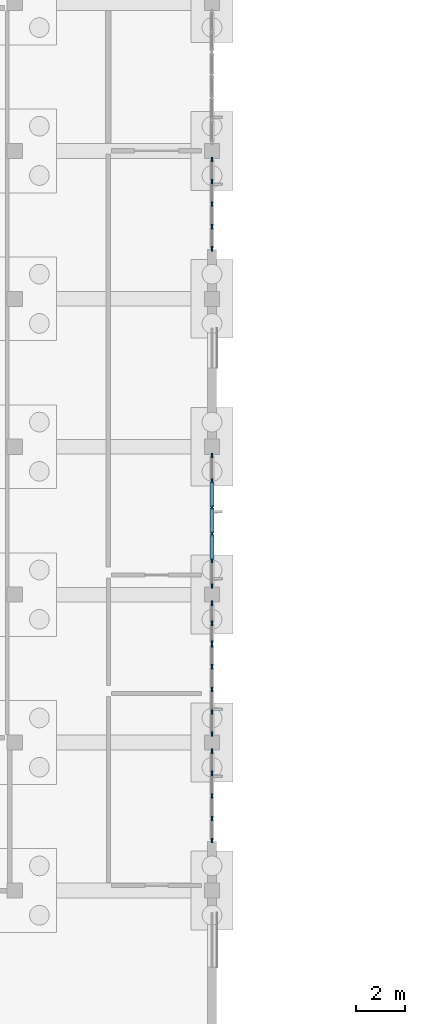
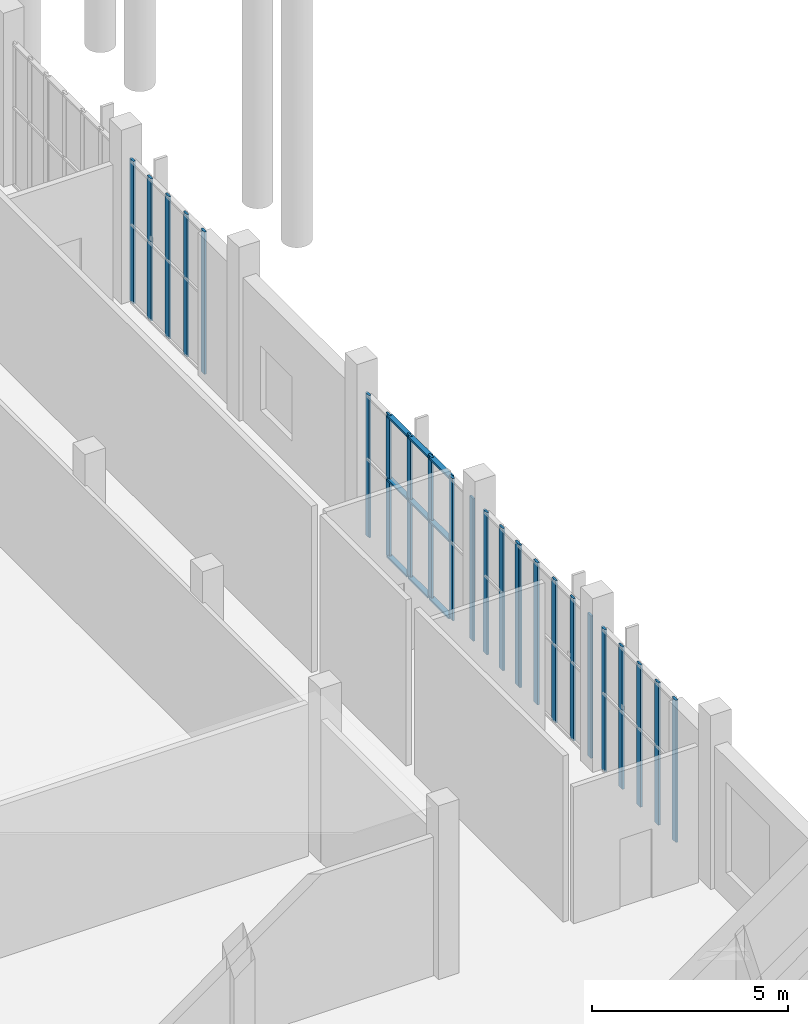
# One storey, part 11 of 69: 33 members, 5 elements without a shape of their own.
"""IFC4 building model written with IfcOpenShell, lengths in metres."""

from ifc_helpers import new_model, si_unit, direction, frame, origin, origin_2d, place, context, subcontext, project, spatial, rectangle, extrude, material, layer, layer_set, material_profile, profile_set, type_object, element, aggregate, save


model = new_model("IFC4")

# Units and contexts
model_context = context("Model", 3, precision=1e-05, world=origin(), true_north=direction((0.0, 1.0)))
body_context = subcontext(model_context, "Body", "Model", "MODEL_VIEW")
ifc_project = project(units=[si_unit("LENGTHUNIT", "METRE"), si_unit("AREAUNIT", "SQUARE_METRE"), si_unit("VOLUMEUNIT", "CUBIC_METRE"), si_unit("PLANEANGLEUNIT", "RADIAN"), si_unit("MASSUNIT", "GRAM", prefix="KILO")], contexts=[model_context])

# Site, building, storey
site_placement = place(None, origin())
site = spatial("IfcSite", under=ifc_project, at=site_placement, CompositionType="ELEMENT")
building_placement = place(site_placement, origin())
building = spatial("IfcBuilding", under=site, at=building_placement, Name="Solvane Community Centre", CompositionType="ELEMENT")
storey_placement = place(building_placement, origin())
storey = spatial("IfcBuildingStorey", under=building, at=storey_placement, Name="L00", CompositionType="ELEMENT", Elevation=0.0)

# Curtain wall, members
ifc_material = material(Name="Anodised bronze aluminium AW-6063 T6", Category="aluminium")
ifc_layer_1 = layer(ifc_material, 0.18994140625)
ifc_layer_set_1 = layer_set([ifc_layer_1], Name="Anodised bronze aluminium AW-6063 T6")
curtain_wall_type_1 = type_object("IfcCurtainWallType", Name="Boulevard Bronze Vision Curtain Wall [37x44dm]", PredefinedType="NOTDEFINED", material=ifc_layer_set_1)
curtain_wall_1_placement = place(storey_placement, origin())
curtain_wall_1 = element("IfcCurtainWall", 1, at=curtain_wall_1_placement, inside=storey, type_object=curtain_wall_type_1, Name="Curtain Wall CW-L00-680_657-018", PredefinedType="NOTDEFINED")
ifc_material_profile_1 = material_profile(ifc_material, rectangle(XDim=0.06005859375, YDim=0.18994140625, at=origin_2d()), Name="CW-M 60x190")
ifc_profile_set_1 = profile_set([ifc_material_profile_1], Name="Anodised bronze aluminium AW-6063 T6")
member_type_1 = type_object("IfcMemberType", Name="Boulevard Mullion 60x190", PredefinedType="MULLION", material=ifc_profile_set_1)
member_1_placement = place(storey_placement, frame((68.0, 65.64990234375, 0.0), z_axis=(0.0, 0.0, 1.0), x_axis=(1.0, 0.0, 0.0)))
member_1 = element("IfcMember", 2, at=member_1_placement, type_object=member_type_1, Name="CW02-37x44 mullion 1", PredefinedType="MULLION", context=body_context, shape_type="SweptSolid", body=[
    extrude(rectangle(XDim=0.06005859375, YDim=0.18994140625, at=origin_2d()), origin(), (0.0, 0.0, 1.0), 4.425048828125),
])
member_2_placement = place(storey_placement, frame((68.0, 64.760009765625, 0.0), z_axis=(0.0, 0.0, 1.0), x_axis=(1.0, 0.0, 0.0)))
member_2 = element("IfcMember", 3, at=member_2_placement, type_object=member_type_1, Name="CW02-37x44 mullion 2", PredefinedType="MULLION", context=body_context, shape_type="SweptSolid", body=[
    extrude(rectangle(XDim=0.06005859375, YDim=0.18994140625, at=origin_2d()), origin(), (0.0, 0.0, 1.0), 4.425048828125),
])
member_3_placement = place(storey_placement, frame((68.0, 63.840087890625, 0.0), z_axis=(0.0, 0.0, 1.0), x_axis=(1.0, 0.0, 0.0)))
member_3 = element("IfcMember", 4, at=member_3_placement, type_object=member_type_1, Name="CW02-37x44 mullion 3", PredefinedType="MULLION", context=body_context, shape_type="SweptSolid", body=[
    extrude(rectangle(XDim=0.06005859375, YDim=0.18994140625, at=origin_2d()), origin(), (0.0, 0.0, 1.0), 4.425048828125),
])
member_4_placement = place(storey_placement, frame((68.0, 62.919921875, 0.0), z_axis=(0.0, 0.0, 1.0), x_axis=(1.0, 0.0, 0.0)))
member_4 = element("IfcMember", 5, at=member_4_placement, type_object=member_type_1, Name="CW02-37x44 mullion 4", PredefinedType="MULLION", context=body_context, shape_type="SweptSolid", body=[
    extrude(rectangle(XDim=0.06005859375, YDim=0.18994140625, at=origin_2d()), origin(), (0.0, 0.0, 1.0), 4.425048828125),
])
member_5_placement = place(storey_placement, frame((68.0, 62.030029296875, 0.0), z_axis=(0.0, 0.0, 1.0), x_axis=(1.0, 0.0, 0.0)))
member_5 = element("IfcMember", 6, at=member_5_placement, type_object=member_type_1, Name="CW02-37x44 mullion 5", PredefinedType="MULLION", context=body_context, shape_type="SweptSolid", body=[
    extrude(rectangle(XDim=0.06005859375, YDim=0.18994140625, at=origin_2d()), origin(), (0.0, 0.0, 1.0), 4.425048828125),
])
aggregate(curtain_wall_1, [member_1, member_2, member_3, member_4, member_5])

ifc_layer_2 = layer(ifc_material, 0.18994140625)
ifc_layer_set_2 = layer_set([ifc_layer_2], Name="Anodised bronze aluminium AW-6063 T6")
curtain_wall_type_2 = type_object("IfcCurtainWallType", Name="Boulevard Bronze Vision Curtain Wall [54x44dm]", PredefinedType="NOTDEFINED", material=ifc_layer_set_2)
curtain_wall_2_placement = place(storey_placement, origin())
curtain_wall_2 = element("IfcCurtainWall", 7, at=curtain_wall_2_placement, inside=storey, type_object=curtain_wall_type_2, Name="Curtain Wall CW-L00-680_537-019", PredefinedType="NOTDEFINED")
member_6_placement = place(storey_placement, frame((68.0, 53.64990234375, 0.0), z_axis=(0.0, 0.0, 1.0), x_axis=(1.0, 0.0, 0.0)))
member_6 = element("IfcMember", 8, at=member_6_placement, type_object=member_type_1, Name="CW02-54x44 mullion 1", PredefinedType="MULLION", context=body_context, shape_type="SweptSolid", body=[
    extrude(rectangle(XDim=0.06005859375, YDim=0.18994140625, at=origin_2d()), origin(), (0.0, 0.0, 1.0), 4.425048828125),
])
member_7_placement = place(storey_placement, frame((68.0, 52.60791015625, 0.0), z_axis=(0.0, 0.0, 1.0), x_axis=(1.0, 0.0, 0.0)))
member_7 = element("IfcMember", 9, at=member_7_placement, type_object=member_type_1, Name="CW02-54x44 mullion 2", PredefinedType="MULLION", context=body_context, shape_type="SweptSolid", body=[
    extrude(rectangle(XDim=0.06005859375, YDim=0.18994140625, at=origin_2d()), origin(), (0.0, 0.0, 1.0), 4.425048828125),
])
member_8_placement = place(storey_placement, frame((68.0, 51.535888671875, 0.0), z_axis=(0.0, 0.0, 1.0), x_axis=(1.0, 0.0, 0.0)))
member_8 = element("IfcMember", 10, at=member_8_placement, type_object=member_type_1, Name="CW02-54x44 mullion 3", PredefinedType="MULLION", context=body_context, shape_type="SweptSolid", body=[
    extrude(rectangle(XDim=0.06005859375, YDim=0.18994140625, at=origin_2d()), origin(), (0.0, 0.0, 1.0), 4.425048828125),
])
member_9_placement = place(storey_placement, frame((68.0, 50.464111328125, 0.0), z_axis=(0.0, 0.0, 1.0), x_axis=(1.0, 0.0, 0.0)))
member_9 = element("IfcMember", 11, at=member_9_placement, type_object=member_type_1, Name="CW02-54x44 mullion 4", PredefinedType="MULLION", context=body_context, shape_type="SweptSolid", body=[
    extrude(rectangle(XDim=0.06005859375, YDim=0.18994140625, at=origin_2d()), origin(), (0.0, 0.0, 1.0), 4.425048828125),
])
member_10_placement = place(storey_placement, frame((68.0, 49.39208984375, 0.0), z_axis=(0.0, 0.0, 1.0), x_axis=(1.0, 0.0, 0.0)))
member_10 = element("IfcMember", 12, at=member_10_placement, type_object=member_type_1, Name="CW02-54x44 mullion 5", PredefinedType="MULLION", context=body_context, shape_type="SweptSolid", body=[
    extrude(rectangle(XDim=0.06005859375, YDim=0.18994140625, at=origin_2d()), origin(), (0.0, 0.0, 1.0), 4.425048828125),
])
member_11_placement = place(storey_placement, frame((68.0, 48.35009765625, 0.0), z_axis=(0.0, 0.0, 1.0), x_axis=(1.0, 0.0, 0.0)))
member_11 = element("IfcMember", 13, at=member_11_placement, type_object=member_type_1, Name="CW02-54x44 mullion 6", PredefinedType="MULLION", context=body_context, shape_type="SweptSolid", body=[
    extrude(rectangle(XDim=0.06005859375, YDim=0.18994140625, at=origin_2d()), origin(), (0.0, 0.0, 1.0), 4.425048828125),
])

ifc_layer_3 = layer(ifc_material, 0.18994140625)
ifc_layer_set_3 = layer_set([ifc_layer_3], Name="Anodised bronze aluminium AW-6063 T6")
curtain_wall_type_3 = type_object("IfcCurtainWallType", Name="Boulevard Bronze Vision Curtain Wall [17x44dm]", PredefinedType="NOTDEFINED", material=ifc_layer_set_3)
curtain_wall_3_placement = place(storey_placement, origin())
curtain_wall_3 = element("IfcCurtainWall", 14, at=curtain_wall_3_placement, inside=storey, type_object=curtain_wall_type_3, Name="Curtain Wall CW-L00-680_477-020", PredefinedType="NOTDEFINED")
member_12_placement = place(storey_placement, frame((68.0, 47.64990234375, 0.0), z_axis=(0.0, 0.0, 1.0), x_axis=(1.0, 0.0, 0.0)))
member_12 = element("IfcMember", 15, at=member_12_placement, type_object=member_type_1, Name="CW02-17x44 mullion 1", PredefinedType="MULLION", context=body_context, shape_type="SweptSolid", body=[
    extrude(rectangle(XDim=0.06005859375, YDim=0.18994140625, at=origin_2d()), origin(), (0.0, 0.0, 1.0), 4.425048828125),
])
member_13_placement = place(storey_placement, frame((68.0, 46.840087890625, 0.0), z_axis=(0.0, 0.0, 1.0), x_axis=(1.0, 0.0, 0.0)))
member_13 = element("IfcMember", 16, at=member_13_placement, type_object=member_type_1, Name="CW02-17x44 mullion 2", PredefinedType="MULLION", context=body_context, shape_type="SweptSolid", body=[
    extrude(rectangle(XDim=0.06005859375, YDim=0.18994140625, at=origin_2d()), origin(), (0.0, 0.0, 1.0), 4.425048828125),
])
member_14_placement = place(storey_placement, frame((68.0, 46.030029296875, 0.0), z_axis=(0.0, 0.0, 1.0), x_axis=(1.0, 0.0, 0.0)))
member_14 = element("IfcMember", 17, at=member_14_placement, type_object=member_type_1, Name="CW02-17x44 mullion 3", PredefinedType="MULLION", context=body_context, shape_type="SweptSolid", body=[
    extrude(rectangle(XDim=0.06005859375, YDim=0.18994140625, at=origin_2d()), origin(), (0.0, 0.0, 1.0), 4.425048828125),
])
aggregate(curtain_wall_3, [member_12, member_13, member_14])

curtain_wall_4_placement = place(storey_placement, origin())
curtain_wall_4 = element("IfcCurtainWall", 18, at=curtain_wall_4_placement, inside=storey, type_object=curtain_wall_type_1, Name="Curtain Wall CW-L00-680_460-021", PredefinedType="NOTDEFINED")
member_15_placement = place(storey_placement, frame((68.0, 45.969970703125, 0.0), z_axis=(0.0, 0.0, 1.0), x_axis=(1.0, 0.0, 0.0)))
member_15 = element("IfcMember", 19, at=member_15_placement, type_object=member_type_1, Name="CW02-37x44 mullion 1", PredefinedType="MULLION", context=body_context, shape_type="SweptSolid", body=[
    extrude(rectangle(XDim=0.06005859375, YDim=0.18994140625, at=origin_2d()), origin(), (0.0, 0.0, 1.0), 4.425048828125),
])
member_16_placement = place(storey_placement, frame((68.0, 45.080078125, 0.0), z_axis=(0.0, 0.0, 1.0), x_axis=(1.0, 0.0, 0.0)))
member_16 = element("IfcMember", 20, at=member_16_placement, type_object=member_type_1, Name="CW02-37x44 mullion 2", PredefinedType="MULLION", context=body_context, shape_type="SweptSolid", body=[
    extrude(rectangle(XDim=0.06005859375, YDim=0.18994140625, at=origin_2d()), origin(), (0.0, 0.0, 1.0), 4.425048828125),
])
member_17_placement = place(storey_placement, frame((68.0, 44.159912109375, 0.0), z_axis=(0.0, 0.0, 1.0), x_axis=(1.0, 0.0, 0.0)))
member_17 = element("IfcMember", 21, at=member_17_placement, type_object=member_type_1, Name="CW02-37x44 mullion 3", PredefinedType="MULLION", context=body_context, shape_type="SweptSolid", body=[
    extrude(rectangle(XDim=0.06005859375, YDim=0.18994140625, at=origin_2d()), origin(), (0.0, 0.0, 1.0), 4.425048828125),
])
member_18_placement = place(storey_placement, frame((68.0, 43.239990234375, 0.0), z_axis=(0.0, 0.0, 1.0), x_axis=(1.0, 0.0, 0.0)))
member_18 = element("IfcMember", 22, at=member_18_placement, type_object=member_type_1, Name="CW02-37x44 mullion 4", PredefinedType="MULLION", context=body_context, shape_type="SweptSolid", body=[
    extrude(rectangle(XDim=0.06005859375, YDim=0.18994140625, at=origin_2d()), origin(), (0.0, 0.0, 1.0), 4.425048828125),
])
member_19_placement = place(storey_placement, frame((68.0, 42.35009765625, 0.0), z_axis=(0.0, 0.0, 1.0), x_axis=(1.0, 0.0, 0.0)))
member_19 = element("IfcMember", 23, at=member_19_placement, type_object=member_type_1, Name="CW02-37x44 mullion 5", PredefinedType="MULLION", context=body_context, shape_type="SweptSolid", body=[
    extrude(rectangle(XDim=0.06005859375, YDim=0.18994140625, at=origin_2d()), origin(), (0.0, 0.0, 1.0), 4.425048828125),
])
aggregate(curtain_wall_4, [member_15, member_16, member_17, member_18, member_19])

curtain_wall_5_placement = place(storey_placement, origin())
curtain_wall_5 = element("IfcCurtainWall", 24, at=curtain_wall_5_placement, inside=storey, type_object=curtain_wall_type_1, Name="Curtain Wall CW-L00-680_417-022", PredefinedType="NOTDEFINED")
member_20_placement = place(storey_placement, frame((68.0, 41.64990234375, 0.0), z_axis=(0.0, 0.0, 1.0), x_axis=(1.0, 0.0, 0.0)))
member_20 = element("IfcMember", 25, at=member_20_placement, type_object=member_type_1, Name="CW02-37x44 mullion 1", PredefinedType="MULLION", context=body_context, shape_type="SweptSolid", body=[
    extrude(rectangle(XDim=0.06005859375, YDim=0.18994140625, at=origin_2d()), origin(), (0.0, 0.0, 1.0), 4.425048828125),
])
member_21_placement = place(storey_placement, frame((68.0, 40.760009765625, 0.0), z_axis=(0.0, 0.0, 1.0), x_axis=(1.0, 0.0, 0.0)))
member_21 = element("IfcMember", 26, at=member_21_placement, type_object=member_type_1, Name="CW02-37x44 mullion 2", PredefinedType="MULLION", context=body_context, shape_type="SweptSolid", body=[
    extrude(rectangle(XDim=0.06005859375, YDim=0.18994140625, at=origin_2d()), origin(), (0.0, 0.0, 1.0), 4.425048828125),
])
member_22_placement = place(storey_placement, frame((68.0, 39.840087890625, 0.0), z_axis=(0.0, 0.0, 1.0), x_axis=(1.0, 0.0, 0.0)))
member_22 = element("IfcMember", 27, at=member_22_placement, type_object=member_type_1, Name="CW02-37x44 mullion 3", PredefinedType="MULLION", context=body_context, shape_type="SweptSolid", body=[
    extrude(rectangle(XDim=0.06005859375, YDim=0.18994140625, at=origin_2d()), origin(), (0.0, 0.0, 1.0), 4.425048828125),
])
member_23_placement = place(storey_placement, frame((68.0, 38.919921875, 0.0), z_axis=(0.0, 0.0, 1.0), x_axis=(1.0, 0.0, 0.0)))
member_23 = element("IfcMember", 28, at=member_23_placement, type_object=member_type_1, Name="CW02-37x44 mullion 4", PredefinedType="MULLION", context=body_context, shape_type="SweptSolid", body=[
    extrude(rectangle(XDim=0.06005859375, YDim=0.18994140625, at=origin_2d()), origin(), (0.0, 0.0, 1.0), 4.425048828125),
])
member_24_placement = place(storey_placement, frame((68.0, 38.030029296875, 0.0), z_axis=(0.0, 0.0, 1.0), x_axis=(1.0, 0.0, 0.0)))
member_24 = element("IfcMember", 29, at=member_24_placement, type_object=member_type_1, Name="CW02-37x44 mullion 5", PredefinedType="MULLION", context=body_context, shape_type="SweptSolid", body=[
    extrude(rectangle(XDim=0.06005859375, YDim=0.18994140625, at=origin_2d()), origin(), (0.0, 0.0, 1.0), 4.425048828125),
])
aggregate(curtain_wall_5, [member_20, member_21, member_22, member_23, member_24])

# Member
ifc_material_profile_2 = material_profile(ifc_material, rectangle(XDim=0.14990234375, YDim=0.06005859375, at=origin_2d()), Name="CW-T 60x150")
ifc_profile_set_2 = profile_set([ifc_material_profile_2], Name="Anodised bronze aluminium AW-6063 T6")
member_type_2 = type_object("IfcMemberType", Name="Boulevard Transom 60x150", PredefinedType="USERDEFINED", material=ifc_profile_set_2)
member_25_placement = place(storey_placement, frame((68.0, 52.577880859375, 0.030029296875), z_axis=(0.0, -1.0, 0.0), x_axis=(1.0, 0.0, 0.0)))
member_25 = element("IfcMember", 30, at=member_25_placement, type_object=member_type_2, Name="CW02-54x44 transom 2.1", ObjectType="TRANSOM", PredefinedType="USERDEFINED", context=body_context, shape_type="SweptSolid", body=[
    extrude(rectangle(XDim=0.14990234375, YDim=0.06005859375, at=origin_2d()), origin(), (0.0, 0.0, 1.0), 1.011962890625),
])

member_26_placement = place(storey_placement, frame((68.0, 52.577880859375, 2.43408203125), z_axis=(0.0, -1.0, 0.0), x_axis=(1.0, 0.0, 0.0)))
member_26 = element("IfcMember", 31, at=member_26_placement, type_object=member_type_2, Name="CW02-54x44 transom 2.2", ObjectType="TRANSOM", PredefinedType="USERDEFINED", context=body_context, shape_type="SweptSolid", body=[
    extrude(rectangle(XDim=0.14990234375, YDim=0.06005859375, at=origin_2d()), origin(), (0.0, 0.0, 1.0), 1.011962890625),
])

member_27_placement = place(storey_placement, frame((68.0, 52.577880859375, 4.39501953125), z_axis=(0.0, -1.0, 0.0), x_axis=(1.0, 0.0, 0.0)))
member_27 = element("IfcMember", 32, at=member_27_placement, type_object=member_type_2, Name="CW02-54x44 transom 2.3", ObjectType="TRANSOM", PredefinedType="USERDEFINED", context=body_context, shape_type="SweptSolid", body=[
    extrude(rectangle(XDim=0.14990234375, YDim=0.06005859375, at=origin_2d()), origin(), (0.0, 0.0, 1.0), 1.011962890625),
])

member_28_placement = place(storey_placement, frame((68.0, 51.506103515625, 0.030029296875), z_axis=(0.0, -1.0, 0.0), x_axis=(1.0, 0.0, 0.0)))
member_28 = element("IfcMember", 33, at=member_28_placement, type_object=member_type_2, Name="CW02-54x44 transom 3.1", ObjectType="TRANSOM", PredefinedType="USERDEFINED", context=body_context, shape_type="SweptSolid", body=[
    extrude(rectangle(XDim=0.14990234375, YDim=0.06005859375, at=origin_2d()), origin(), (0.0, 0.0, 1.0), 1.01220703125),
])

member_29_placement = place(storey_placement, frame((68.0, 51.506103515625, 2.43408203125), z_axis=(0.0, -1.0, 0.0), x_axis=(1.0, 0.0, 0.0)))
member_29 = element("IfcMember", 34, at=member_29_placement, type_object=member_type_2, Name="CW02-54x44 transom 3.2", ObjectType="TRANSOM", PredefinedType="USERDEFINED", context=body_context, shape_type="SweptSolid", body=[
    extrude(rectangle(XDim=0.14990234375, YDim=0.06005859375, at=origin_2d()), origin(), (0.0, 0.0, 1.0), 1.01220703125),
])

member_30_placement = place(storey_placement, frame((68.0, 51.506103515625, 4.39501953125), z_axis=(0.0, -1.0, 0.0), x_axis=(1.0, 0.0, 0.0)))
member_30 = element("IfcMember", 35, at=member_30_placement, type_object=member_type_2, Name="CW02-54x44 transom 3.3", ObjectType="TRANSOM", PredefinedType="USERDEFINED", context=body_context, shape_type="SweptSolid", body=[
    extrude(rectangle(XDim=0.14990234375, YDim=0.06005859375, at=origin_2d()), origin(), (0.0, 0.0, 1.0), 1.01220703125),
])

member_31_placement = place(storey_placement, frame((68.0, 50.43408203125, 0.030029296875), z_axis=(0.0, -1.0, 0.0), x_axis=(1.0, 0.0, 0.0)))
member_31 = element("IfcMember", 36, at=member_31_placement, type_object=member_type_2, Name="CW02-54x44 transom 4.1", ObjectType="TRANSOM", PredefinedType="USERDEFINED", context=body_context, shape_type="SweptSolid", body=[
    extrude(rectangle(XDim=0.14990234375, YDim=0.06005859375, at=origin_2d()), origin(), (0.0, 0.0, 1.0), 1.011962890625),
])

member_32_placement = place(storey_placement, frame((68.0, 50.43408203125, 2.43408203125), z_axis=(0.0, -1.0, 0.0), x_axis=(1.0, 0.0, 0.0)))
member_32 = element("IfcMember", 37, at=member_32_placement, type_object=member_type_2, Name="CW02-54x44 transom 4.2", ObjectType="TRANSOM", PredefinedType="USERDEFINED", context=body_context, shape_type="SweptSolid", body=[
    extrude(rectangle(XDim=0.14990234375, YDim=0.06005859375, at=origin_2d()), origin(), (0.0, 0.0, 1.0), 1.011962890625),
])

member_33_placement = place(storey_placement, frame((68.0, 50.43408203125, 4.39501953125), z_axis=(0.0, -1.0, 0.0), x_axis=(1.0, 0.0, 0.0)))
member_33 = element("IfcMember", 38, at=member_33_placement, type_object=member_type_2, Name="CW02-54x44 transom 4.3", ObjectType="TRANSOM", PredefinedType="USERDEFINED", context=body_context, shape_type="SweptSolid", body=[
    extrude(rectangle(XDim=0.14990234375, YDim=0.06005859375, at=origin_2d()), origin(), (0.0, 0.0, 1.0), 1.011962890625),
])

aggregate(curtain_wall_2, [member_6, member_7, member_8, member_9, member_10, member_11, member_25, member_26, member_27, member_28, member_29, member_30, member_31, member_32, member_33])

save(model, "model.ifc")
